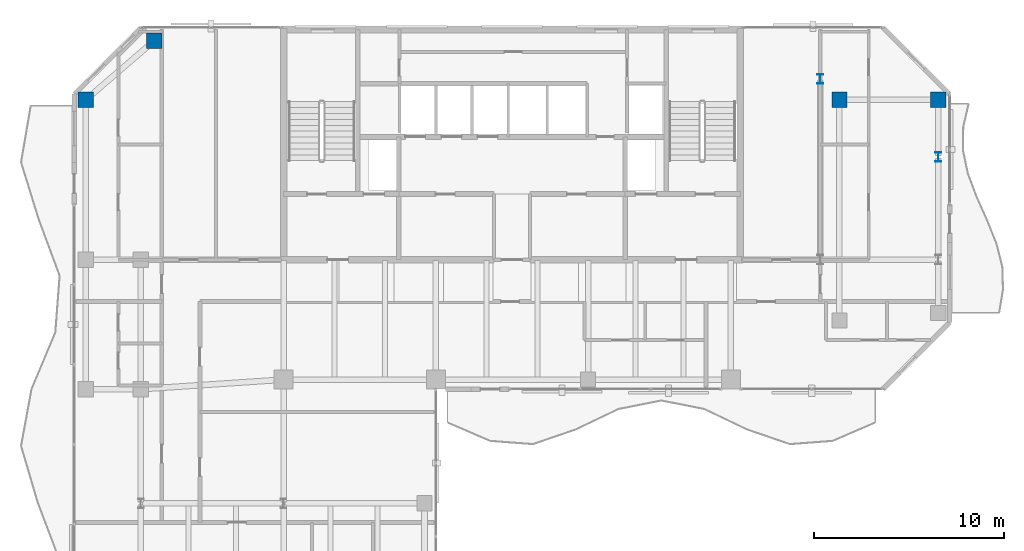
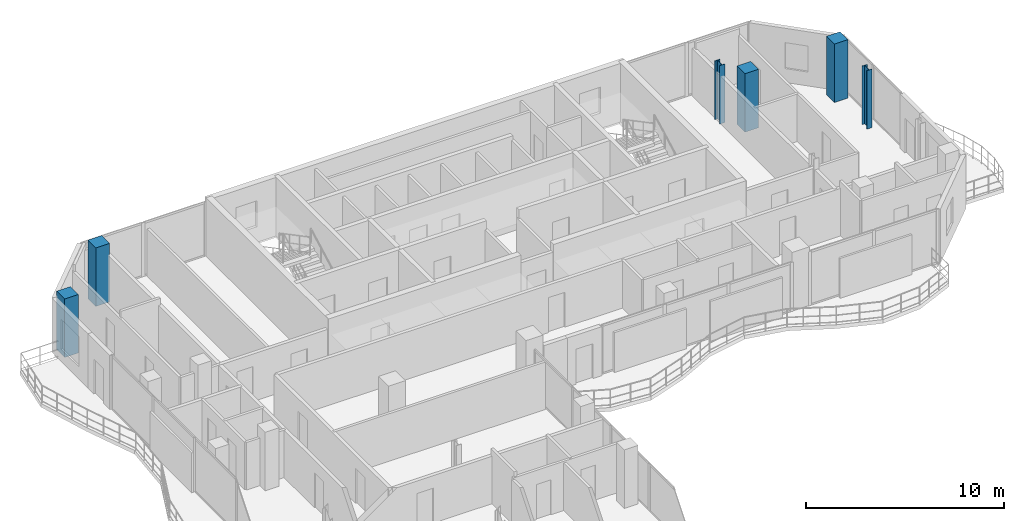
# One storey, part 2 of 23: 6 columns.
"""IFC4 building model written with IfcOpenShell, lengths in metres."""

from ifc_helpers import new_model, si_unit, direction, frame, origin, origin_2d, place, context, subcontext, project, spatial, rectangle, i_section, extrude, material, material_profile, profile_set, type_object, element, save


model = new_model("IFC4")

# Units and contexts
model_context = context("Model", 3, precision=1e-05, world=origin(), true_north=direction((0.0, 1.0)))
body_context = subcontext(model_context, "Body", "Model", "MODEL_VIEW")
ifc_project = project(units=[si_unit("LENGTHUNIT", "METRE"), si_unit("AREAUNIT", "SQUARE_METRE"), si_unit("VOLUMEUNIT", "CUBIC_METRE"), si_unit("PLANEANGLEUNIT", "RADIAN"), si_unit("MASSUNIT", "GRAM", prefix="KILO")], contexts=[model_context])

# Site, building, storey
site_placement = place(None, origin())
site = spatial("IfcSite", under=ifc_project, at=site_placement, CompositionType="ELEMENT")
building_placement = place(site_placement, origin())
building = spatial("IfcBuilding", under=site, at=building_placement, Name="Catumbela Crestline Tower", CompositionType="ELEMENT")
storey_placement = place(building_placement, frame((0.0, 0.0, 190.2)))
storey = spatial("IfcBuildingStorey", under=building, at=storey_placement, Name="L49", CompositionType="ELEMENT", Elevation=190.2)

# Columns
ifc_material_1 = material(Name="Concrete C50/60", Category="concrete")
ifc_material_profile_1 = material_profile(ifc_material_1, rectangle(XDim=0.8, YDim=0.8, at=origin_2d()), Name="RC 800x800")
ifc_profile_set_1 = profile_set([ifc_material_profile_1], Name="Concrete C50/60")
column_type_1 = type_object("IfcColumnType", Name="C-RC800-C50", PredefinedType="COLUMN", material=ifc_profile_set_1)
for number, where, z_axis, x_axis, name in (
    (1, (5.6, 39.2, 0.0), (0.0, 0.0, 1.0), (1.0, 0.0, 0.0), "L49 Column C-05-43 (RC 800x800)"),
    (2, (9.2, 42.3, 0.0), (0.0, 0.0, 1.0), (1.0, 0.0, 0.0), "L49 Column C-08-43 (RC 800x800)"),
    (3, (45.2, 39.2, 0.0), (0.0, 0.0, 1.0), (1.0, 0.0, 0.0), "L49 Column C-46-43 (RC 800x800)"),
    (4, (50.4, 39.2, 0.0), (0.0, 0.0, 1.0), (1.0, 0.0, 0.0), "L49 Column C-51-43 (RC 800x800)"),
):
    element("IfcColumn", number, at=place(storey_placement, frame(where, z_axis=z_axis, x_axis=x_axis)), inside=storey, type_object=column_type_1, Name=name, PredefinedType="COLUMN", context=body_context, shape_type="SweptSolid", body=[
        extrude(rectangle(XDim=0.8, YDim=0.8, at=origin_2d()), origin(), (0.0, 0.0, 1.0), 3.6),
    ])
ifc_material_2 = material(Name="Structural steel S355J2", Category="steel")
ifc_material_profile_2 = material_profile(ifc_material_2, i_section(OverallWidth=0.3, OverallDepth=0.5, WebThickness=0.0145, FlangeThickness=0.028, FilletRadius=0.027, at=origin_2d()), Name="HEB 500")
ifc_profile_set_2 = profile_set([ifc_material_profile_2], Name="Structural steel S355J2")
column_type_2 = type_object("IfcColumnType", Name="C-ST-HEB500", PredefinedType="COLUMN", material=ifc_profile_set_2)
for number, where, z_axis, x_axis, name in (
    (5, (44.2, 40.3, 0.0), (0.0, 0.0, 1.0), (1.0, 0.0, 0.0), "L49 Column CT-46-37 (HEB 500)"),
    (6, (50.4, 36.2, 0.0), (0.0, 0.0, 1.0), (1.0, 0.0, 0.0), "L49 Column CT-51-37 (HEB 500)"),
):
    element("IfcColumn", number, at=place(storey_placement, frame(where, z_axis=z_axis, x_axis=x_axis)), inside=storey, type_object=column_type_2, Name=name, PredefinedType="COLUMN", context=body_context, shape_type="SweptSolid", body=[
        extrude(i_section(OverallWidth=0.3, OverallDepth=0.5, WebThickness=0.0145, FlangeThickness=0.028, FilletRadius=0.027, at=origin_2d()), origin(), (0.0, 0.0, 1.0), 3.6),
    ])

save(model, "model.ifc")
